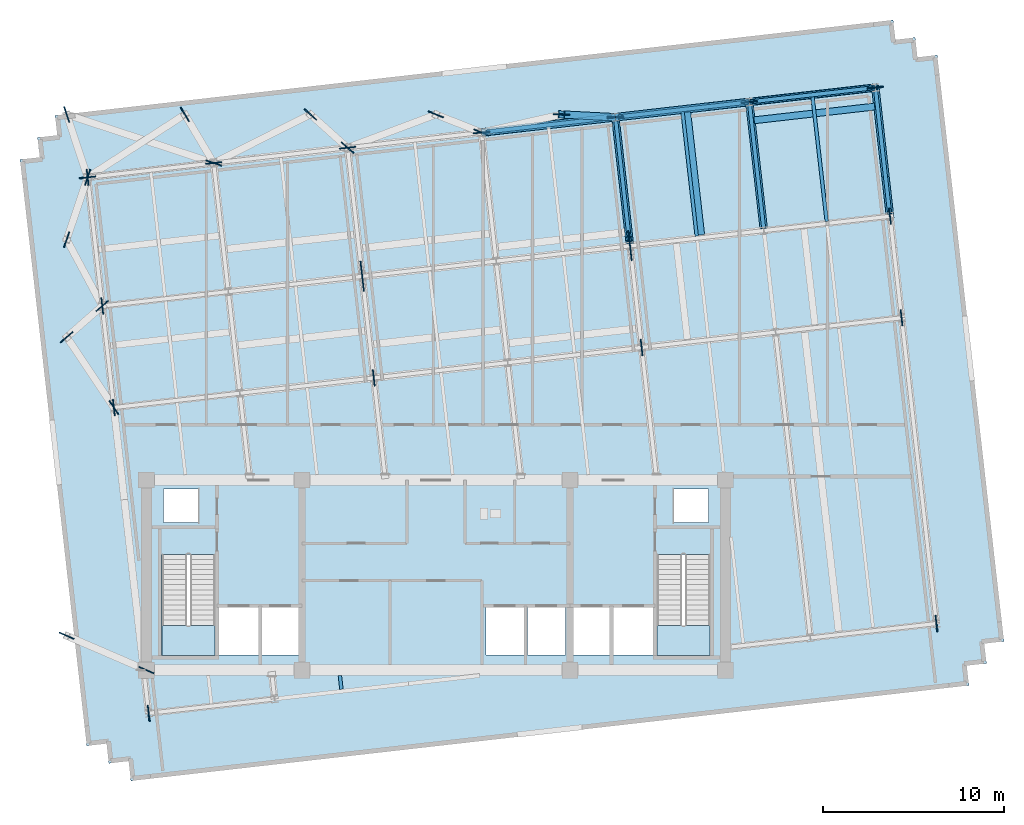
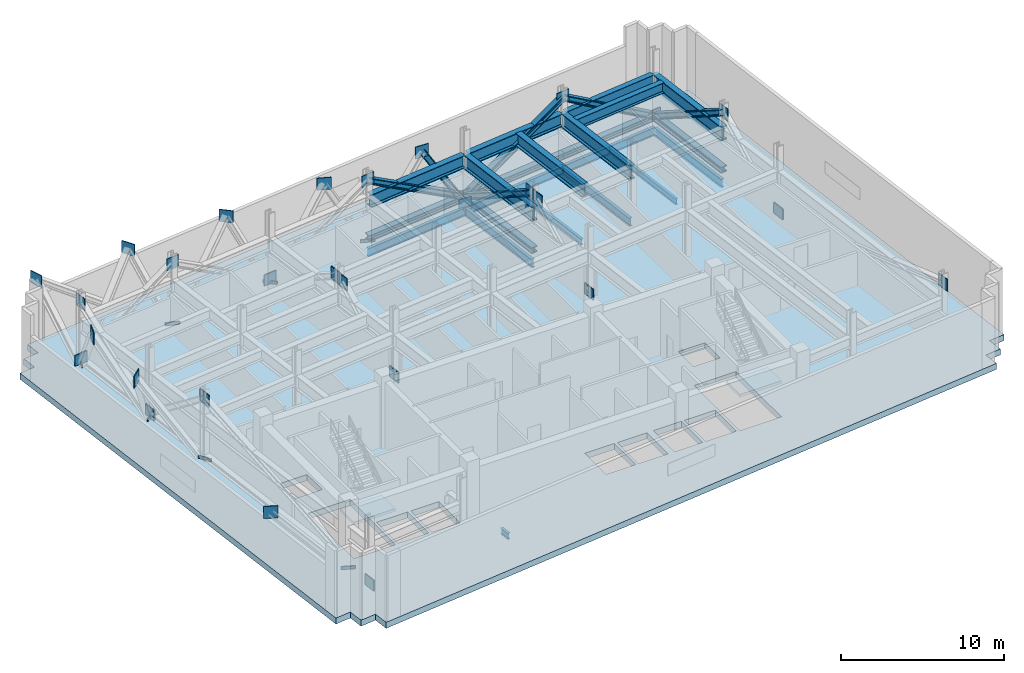
# One storey, part 4 of 10: 36 plates, 17 beams, 11 members, 3 slabs, 2 elements without a shape of their own.
"""IFC4 building model written with IfcOpenShell, lengths in metres."""

from ifc_helpers import new_model, si_unit, direction, frame, origin, origin_2d, place, context, subcontext, project, spatial, polyline, rectangle, i_section, outline, extrude, material, layer, layer_set, material_profile, profile_set, type_object, element, aggregate, save


model = new_model("IFC4")

# Units and contexts
model_context = context("Model", 3, precision=1e-05, world=origin(), true_north=direction((0.0, 1.0)))
body_context = subcontext(model_context, "Body", "Model", "MODEL_VIEW")
ifc_project = project(units=[si_unit("LENGTHUNIT", "METRE"), si_unit("AREAUNIT", "SQUARE_METRE"), si_unit("VOLUMEUNIT", "CUBIC_METRE"), si_unit("PLANEANGLEUNIT", "RADIAN"), si_unit("MASSUNIT", "GRAM", prefix="KILO")], contexts=[model_context])

# Site, building, storey
site_placement = place(None, origin())
site = spatial("IfcSite", under=ifc_project, at=site_placement, CompositionType="ELEMENT")
building_placement = place(site_placement, origin())
building = spatial("IfcBuilding", under=site, at=building_placement, Name="Solmavex Isthmus Hotel", CompositionType="ELEMENT")
storey_placement = place(building_placement, frame((0.0, 0.0, 240.0)))
storey = spatial("IfcBuildingStorey", under=building, at=storey_placement, Name="L65", CompositionType="ELEMENT", Elevation=240.0)

# Beams
ifc_material_1 = material(Name="Steel ASTM A992 Grade 50", Category="steel")
ifc_material_profile_1 = material_profile(ifc_material_1, i_section(OverallWidth=0.380615234375, OverallDepth=0.773193359375, WebThickness=0.0166015625, FlangeThickness=0.027099609375, FilletRadius=0.01904296875, at=origin_2d()), Name="W30X173")
ifc_profile_set_1 = profile_set([ifc_material_profile_1], Name="Steel ASTM A992 Grade 50")
beam_type_1 = type_object("IfcBeamType", Name="BM-BG-W30X173", PredefinedType="BEAM", material=ifc_profile_set_1)
for number, where, z_axis, x_axis, name in (
    (1, (17.463623046875, 18.407470703125, 3.183349609375), (0.993570448594, 0.113215562893, 0.0), (-0.113215562893, 0.993570448594, 0.0), "Floor Framing Cross Girder L65-XLC42"),
    (2, (17.580810546875, 17.37890625, 3.183349609375), (0.993574548201, 0.113179579285, 0.0), (-0.113179579285, 0.993574548201, 0.0), "Floor Framing Cross Girder L65-XLC55"),
):
    element("IfcBeam", number, at=place(storey_placement, frame(where, z_axis=z_axis, x_axis=x_axis)), inside=storey, type_object=beam_type_1, Name=name, PredefinedType="BEAM", context=body_context, shape_type="SweptSolid", body=[
        extrude(i_section(OverallWidth=0.380615234375, OverallDepth=0.773193359375, WebThickness=0.0166015625, FlangeThickness=0.027099609375, FilletRadius=0.01904296875, at=origin_2d()), origin(), (0.0, 0.0, 1.0), 6.69775390625),
    ])
ifc_material_profile_2 = material_profile(ifc_material_1, i_section(OverallWidth=0.1904296875, OverallDepth=0.456787109375, WebThickness=0.009033203125, FlangeThickness=0.014404296875, FilletRadius=0.0126953125, at=origin_2d()), Name="W18X50")
ifc_profile_set_2 = profile_set([ifc_material_profile_2], Name="Steel ASTM A992 Grade 50")
beam_type_2 = type_object("IfcBeamType", Name="BM-BJ-W18X50", PredefinedType="JOIST", material=ifc_profile_set_2)
beam_1_placement = place(storey_placement, frame((-5.2236328125, -14.05419921875, -0.678466796875), z_axis=(-0.112902470797, 0.993606074905, 0.0), x_axis=(-0.993606074905, -0.112902470797, 0.0)))
element("IfcBeam", 3, at=beam_1_placement, inside=storey, type_object=beam_type_2, Name="Secondary Floor Joist L65-J05", PredefinedType="JOIST", context=body_context, shape_type="SweptSolid", body=[
    extrude(i_section(OverallWidth=0.1904296875, OverallDepth=0.456787109375, WebThickness=0.009033203125, FlangeThickness=0.014404296875, FilletRadius=0.0126953125, at=origin_2d()), origin(), (0.0, 0.0, 1.0), 0.759033203125),
])
for number, where, z_axis, x_axis, name in (
    (4, (14.4072265625, 10.975830078125, -0.678466796875), (-0.113202453846, 0.993571942258, 0.0), (-0.993571942258, -0.113202453846, 0.0), "Secondary Floor Joist L65-J18"),
    (5, (21.587646484375, 11.7939453125, -0.678466796875), (-0.113202453846, 0.993571942258, 0.0), (-0.993571942258, -0.113202453846, 0.0), "Secondary Floor Joist L65-J21"),
):
    element("IfcBeam", number, at=place(storey_placement, frame(where, z_axis=z_axis, x_axis=x_axis)), inside=storey, type_object=beam_type_2, Name=name, PredefinedType="JOIST", context=body_context, shape_type="SweptSolid", body=[
        extrude(i_section(OverallWidth=0.1904296875, OverallDepth=0.456787109375, WebThickness=0.009033203125, FlangeThickness=0.014404296875, FilletRadius=0.0126953125, at=origin_2d()), origin(), (0.0, 0.0, 1.0), 6.9228515625),
    ])
ifc_material_profile_3 = material_profile(ifc_material_1, i_section(OverallWidth=0.227783203125, OverallDepth=0.602783203125, WebThickness=0.010498046875, FlangeThickness=0.014892578125, FilletRadius=0.01513671875, at=origin_2d()), Name="W24X68")
ifc_profile_set_3 = profile_set([ifc_material_profile_3], Name="Steel ASTM A992 Grade 50")
beam_type_3 = type_object("IfcBeamType", Name="BM-BM-W24X68", PredefinedType="BEAM", material=ifc_profile_set_3)
for number, where, z_axis, x_axis, name in (
    (6, (10.708251953125, 10.55419921875, -0.75146484375), (-0.113202453846, 0.993571942258, 0.0), (-0.993571942258, -0.113202453846, 0.0), "Floor Beam L65-VG39"),
    (7, (18.106201171875, 11.397216796875, -0.75146484375), (-0.113202453846, 0.993571942258, 0.0), (-0.993571942258, -0.113202453846, 0.0), "Floor Beam L65-VG42"),
):
    element("IfcBeam", number, at=place(storey_placement, frame(where, z_axis=z_axis, x_axis=x_axis)), inside=storey, type_object=beam_type_3, Name=name, PredefinedType="BEAM", context=body_context, shape_type="SweptSolid", body=[
        extrude(i_section(OverallWidth=0.227783203125, OverallDepth=0.602783203125, WebThickness=0.010498046875, FlangeThickness=0.014892578125, FilletRadius=0.01513671875, at=origin_2d()), origin(), (0.0, 0.0, 1.0), 6.9228515625),
    ])
ifc_material_profile_4 = material_profile(ifc_material_1, i_section(OverallWidth=0.230224609375, OverallDepth=0.617431640625, WebThickness=0.01318359375, FlangeThickness=0.022216796875, FilletRadius=0.01513671875, at=origin_2d()), Name="W24X94")
ifc_profile_set_4 = profile_set([ifc_material_profile_4], Name="Steel ASTM A992 Grade 50")
beam_type_4 = type_object("IfcBeamType", Name="BM-SP-W24X94", PredefinedType="SPANDREL", material=ifc_profile_set_4)
for number, where, z_axis, x_axis, name in (
    (8, (2.51318359375, 16.7041015625, -0.7587890625), (0.9935703463, 0.113216460607, 0.0), (-0.113216460607, 0.9935703463, 0.0), "Floor Girder L65-UG21"),
    (9, (9.911376953125, 17.547119140625, -0.7587890625), (0.9935703463, 0.113216460607, 0.0), (-0.113216460607, 0.9935703463, 0.0), "Floor Girder L65-UG22"),
):
    element("IfcBeam", number, at=place(storey_placement, frame(where, z_axis=z_axis, x_axis=x_axis)), inside=storey, type_object=beam_type_4, Name=name, PredefinedType="SPANDREL", context=body_context, shape_type="SweptSolid", body=[
        extrude(i_section(OverallWidth=0.230224609375, OverallDepth=0.617431640625, WebThickness=0.01318359375, FlangeThickness=0.022216796875, FilletRadius=0.01513671875, at=origin_2d()), origin(), (0.0, 0.0, 1.0), 7.446044921875),
    ])
beam_2_placement = place(storey_placement, frame((17.3095703125, 18.39013671875, -0.7587890625), z_axis=(0.99357359356, 0.113187959519, 0.0), x_axis=(-0.113187959519, 0.99357359356, 0.0)))
element("IfcBeam", 10, at=beam_2_placement, inside=storey, type_object=beam_type_4, Name="Floor Girder L65-UG23", PredefinedType="SPANDREL", context=body_context, shape_type="SweptSolid", body=[
    extrude(i_section(OverallWidth=0.230224609375, OverallDepth=0.617431640625, WebThickness=0.01318359375, FlangeThickness=0.022216796875, FilletRadius=0.01513671875, at=origin_2d()), origin(), (0.0, 0.0, 1.0), 7.0078125),
])
beam_3_placement = place(storey_placement, frame((25.0693359375, 12.1904296875, -0.7587890625), z_axis=(-0.113202453846, 0.993571942258, 0.0), x_axis=(-0.993571942258, -0.113202453846, 0.0)))
element("IfcBeam", 11, at=beam_3_placement, inside=storey, type_object=beam_type_4, Name="Floor Beam L65-VG45", PredefinedType="SPANDREL", context=body_context, shape_type="SweptSolid", body=[
    extrude(i_section(OverallWidth=0.230224609375, OverallDepth=0.617431640625, WebThickness=0.01318359375, FlangeThickness=0.022216796875, FilletRadius=0.01513671875, at=origin_2d()), origin(), (0.0, 0.0, 1.0), 6.9228515625),
])
ifc_material_2 = material(Name="Steel ASTM A913 Grade 65", Category="steel")
ifc_material_profile_5 = material_profile(ifc_material_2, i_section(OverallWidth=0.423095703125, OverallDepth=0.93896484375, WebThickness=0.02392578125, FlangeThickness=0.042724609375, FilletRadius=0.024169921875, at=origin_2d()), Name="W36X302")
ifc_profile_set_5 = profile_set([ifc_material_profile_5], Name="Steel ASTM A913 Grade 65")
beam_type_5 = type_object("IfcBeamType", Name="BM-TB-W36X302", PredefinedType="BEAM", material=ifc_profile_set_5)
for number, where, z_axis, x_axis, name in (
    (12, (2.667236328125, 16.7216796875, 3.1005859375), (0.993571101431, 0.113209833499, 0.0), (-0.113209833499, 0.993571101431, 0.0), "Horizontal Outrigger Collector Girder L65-XLC40"),
    (13, (10.0654296875, 17.564697265625, 3.1005859375), (0.993571101431, 0.113209833499, 0.0), (-0.113209833499, 0.993571101431, 0.0), "Horizontal Outrigger Collector Girder L65-XLC41"),
):
    element("IfcBeam", number, at=place(storey_placement, frame(where, z_axis=z_axis, x_axis=x_axis)), inside=storey, type_object=beam_type_5, Name=name, PredefinedType="BEAM", context=body_context, shape_type="SweptSolid", body=[
        extrude(i_section(OverallWidth=0.423095703125, OverallDepth=0.93896484375, WebThickness=0.02392578125, FlangeThickness=0.042724609375, FilletRadius=0.024169921875, at=origin_2d()), origin(), (0.0, 0.0, 1.0), 7.135986328125),
    ])
beam_4_placement = place(storey_placement, frame((14.630615234375, 11.04248046875, 3.1005859375), z_axis=(-0.113219522419, 0.993569997405, 0.0), x_axis=(-0.993569997405, -0.113219522419, 0.0)))
element("IfcBeam", 14, at=beam_4_placement, inside=storey, type_object=beam_type_5, Name="Horizontal Outrigger Collector Girder L65-XLC52", PredefinedType="BEAM", context=body_context, shape_type="SweptSolid", body=[
    extrude(i_section(OverallWidth=0.423095703125, OverallDepth=0.93896484375, WebThickness=0.02392578125, FlangeThickness=0.042724609375, FilletRadius=0.024169921875, at=origin_2d()), origin(), (0.0, 0.0, 1.0), 6.842041015625),
])
ifc_material_profile_6 = material_profile(ifc_material_2, i_section(OverallWidth=0.409423828125, OverallDepth=1.036376953125, WebThickness=0.031005859375, FlangeThickness=0.055908203125, FilletRadius=0.030517578125, at=origin_2d()), Name="W40X397")
ifc_profile_set_6 = profile_set([ifc_material_profile_6], Name="Steel ASTM A913 Grade 65")
beam_type_6 = type_object("IfcBeamType", Name="BM-TB-W40X397B", PredefinedType="BEAM", material=ifc_profile_set_6)
beam_5_placement = place(storey_placement, frame((10.720947265625, 10.441162109375, 3.0517578125), z_axis=(-0.113196143224, 0.993572661238, 0.0), x_axis=(-0.993572661238, -0.113196143224, 0.0)))
element("IfcBeam", 15, at=beam_5_placement, inside=storey, type_object=beam_type_6, Name="Horizontal Transfer Carrier Girder L65-XLC16", PredefinedType="BEAM", context=body_context, shape_type="SweptSolid", body=[
    extrude(i_section(OverallWidth=0.409423828125, OverallDepth=1.036376953125, WebThickness=0.031005859375, FlangeThickness=0.055908203125, FilletRadius=0.030517578125, at=origin_2d()), origin(), (0.0, 0.0, 1.0), 7.15185546875),
])
beam_6_placement = place(storey_placement, frame((18.119140625, 11.283935546875, 3.0517578125), z_axis=(-0.113192304085, 0.993573098617, 0.0), x_axis=(-0.993573098617, -0.113192304085, 0.0)))
element("IfcBeam", 16, at=beam_6_placement, inside=storey, type_object=beam_type_6, Name="Horizontal Transfer Carrier Girder L65-XLC18", PredefinedType="BEAM", context=body_context, shape_type="SweptSolid", body=[
    extrude(i_section(OverallWidth=0.409423828125, OverallDepth=1.036376953125, WebThickness=0.031005859375, FlangeThickness=0.055908203125, FilletRadius=0.030517578125, at=origin_2d()), origin(), (0.0, 0.0, 1.0), 7.152099609375),
])
beam_7_placement = place(storey_placement, frame((25.08203125, 12.077392578125, 3.0517578125), z_axis=(-0.113196143224, 0.993572661238, 0.0), x_axis=(-0.993572661238, -0.113196143224, 0.0)))
element("IfcBeam", 17, at=beam_7_placement, inside=storey, type_object=beam_type_6, Name="Horizontal Transfer Carrier Girder L65-XLC21", PredefinedType="BEAM", context=body_context, shape_type="SweptSolid", body=[
    extrude(i_section(OverallWidth=0.409423828125, OverallDepth=1.036376953125, WebThickness=0.031005859375, FlangeThickness=0.055908203125, FilletRadius=0.030517578125, at=origin_2d()), origin(), (0.0, 0.0, 1.0), 7.15185546875),
])

# Members
ifc_material_profile_7 = material_profile(ifc_material_2, i_section(OverallWidth=0.412109375, OverallDepth=0.434814453125, WebThickness=0.035888671875, FlangeThickness=0.057373046875, FilletRadius=0.030517578125, at=origin_2d()), Name="W14X311")
ifc_profile_set_7 = profile_set([ifc_material_profile_7], Name="Steel ASTM A913 Grade 65")
member_type_1 = type_object("IfcMemberType", Name="MEM-TC-W14X311", PredefinedType="CHORD", material=ifc_profile_set_7)
for number, where, z_axis, x_axis, name in (
    (18, (2.51318359375, 16.7041015625, 0.35009765625), (0.9935703463, 0.113216460607, 0.0), (-0.113216460607, 0.9935703463, 0.0), "Outrigger and Belt Transfer Truss Bottom Chord BT-L65-N-04"),
    (19, (9.911376953125, 17.547119140625, 0.35009765625), (0.9935703463, 0.113216460607, 0.0), (-0.113216460607, 0.9935703463, 0.0), "Outrigger and Belt Transfer Truss Bottom Chord BT-L65-N-05"),
):
    element("IfcMember", number, at=place(storey_placement, frame(where, z_axis=z_axis, x_axis=x_axis)), inside=storey, type_object=member_type_1, Name=name, PredefinedType="CHORD", context=body_context, shape_type="SweptSolid", body=[
        extrude(i_section(OverallWidth=0.412109375, OverallDepth=0.434814453125, WebThickness=0.035888671875, FlangeThickness=0.057373046875, FilletRadius=0.030517578125, at=origin_2d()), origin(), (0.0, 0.0, 1.0), 7.446044921875),
    ])
member_1_placement = place(storey_placement, frame((17.3095703125, 18.39013671875, 0.35009765625), z_axis=(0.99357359356, 0.113187959519, 0.0), x_axis=(-0.113187959519, 0.99357359356, 0.0)))
element("IfcMember", 20, at=member_1_placement, inside=storey, type_object=member_type_1, Name="Outrigger and Belt Transfer Truss Bottom Chord BT-L65-N-06", PredefinedType="CHORD", context=body_context, shape_type="SweptSolid", body=[
    extrude(i_section(OverallWidth=0.412109375, OverallDepth=0.434814453125, WebThickness=0.035888671875, FlangeThickness=0.057373046875, FilletRadius=0.030517578125, at=origin_2d()), origin(), (0.0, 0.0, 1.0), 7.0078125),
])
for number, where, z_axis, x_axis, name in (
    (21, (25.08203125, 12.077392578125, 0.35009765625), (-0.113196143224, 0.993572661238, 0.0), (-0.993572661238, -0.113196143224, 0.0), "Outrigger and Belt Transfer Truss Bottom Chord BT-L65-E-12"),
    (22, (10.720947265625, 10.441162109375, 0.35009765625), (-0.113196143224, 0.993572661238, 0.0), (-0.993572661238, -0.113196143224, 0.0), "Outrigger and Belt Transfer Truss Bottom Chord OT-L65-E-16"),
):
    element("IfcMember", number, at=place(storey_placement, frame(where, z_axis=z_axis, x_axis=x_axis)), inside=storey, type_object=member_type_1, Name=name, PredefinedType="CHORD", context=body_context, shape_type="SweptSolid", body=[
        extrude(i_section(OverallWidth=0.412109375, OverallDepth=0.434814453125, WebThickness=0.035888671875, FlangeThickness=0.057373046875, FilletRadius=0.030517578125, at=origin_2d()), origin(), (0.0, 0.0, 1.0), 7.15185546875),
    ])
ifc_material_profile_8 = material_profile(ifc_material_2, i_section(OverallWidth=0.40625, OverallDepth=0.416015625, WebThickness=0.02978515625, FlangeThickness=0.048095703125, FilletRadius=0.030517578125, at=origin_2d()), Name="W14X257")
ifc_profile_set_8 = profile_set([ifc_material_profile_8], Name="Steel ASTM A913 Grade 65")
member_type_2 = type_object("IfcMemberType", Name="MEM-TM-W14X257", PredefinedType="BRACE", material=ifc_profile_set_8)
member_2_placement = place(storey_placement, frame((9.911376953125, 17.547119140625, -0.25), z_axis=(-0.518844894678, 0.026651095763, 0.854452862574), x_axis=(-0.051298579147, -0.99868336112, 0.0)))
element("IfcMember", 23, at=member_2_placement, inside=storey, type_object=member_type_2, Name="Perimeter Facade Transfer Bracket L65-FBR14", PredefinedType="BRACE", context=body_context, shape_type="SweptSolid", body=[
    extrude(i_section(OverallWidth=0.40625, OverallDepth=0.416015625, WebThickness=0.02978515625, FlangeThickness=0.048095703125, FilletRadius=0.030517578125, at=origin_2d()), origin(), (0.0, 0.0, 1.0), 5.734619140625),
])
for number, where, z_axis, x_axis, name in (
    (24, (2.51318359375, 16.7041015625, 4.64990234375), (0.860416390979, 0.098043685379, -0.500071064842), (-0.113216460607, 0.9935703463, 0.0), "Outrigger and Belt Transfer Truss Diagonal Brace BT-L65-N-04"),
    (25, (9.911376953125, 17.547119140625, 0.35009765625), (0.860416390979, 0.098043685379, 0.500071064842), (-0.113216460607, 0.9935703463, 0.0), "Outrigger and Belt Transfer Truss Diagonal Brace BT-L65-N-05"),
):
    element("IfcMember", number, at=place(storey_placement, frame(where, z_axis=z_axis, x_axis=x_axis)), inside=storey, type_object=member_type_2, Name=name, PredefinedType="BRACE", context=body_context, shape_type="SweptSolid", body=[
        extrude(i_section(OverallWidth=0.40625, OverallDepth=0.416015625, WebThickness=0.02978515625, FlangeThickness=0.048095703125, FilletRadius=0.030517578125, at=origin_2d()), origin(), (0.0, 0.0, 1.0), 8.598388671875),
    ])
member_3_placement = place(storey_placement, frame((17.3095703125, 18.39013671875, 4.64990234375), z_axis=(0.846873033128, 0.096475823444, -0.522970822562), x_axis=(-0.113187959519, 0.99357359356, 0.0)))
element("IfcMember", 26, at=member_3_placement, inside=storey, type_object=member_type_2, Name="Outrigger and Belt Transfer Truss Diagonal Brace BT-L65-N-06", PredefinedType="BRACE", context=body_context, shape_type="SweptSolid", body=[
    extrude(i_section(OverallWidth=0.40625, OverallDepth=0.416015625, WebThickness=0.02978515625, FlangeThickness=0.048095703125, FilletRadius=0.030517578125, at=origin_2d()), origin(), (0.0, 0.0, 1.0), 8.221923828125),
])
member_4_placement = place(storey_placement, frame((25.08203125, 12.077392578125, 4.64990234375), z_axis=(-0.097013090159, 0.851526840217, -0.51525770322), x_axis=(-0.993572661238, -0.113196143224, 0.0)))
element("IfcMember", 27, at=member_4_placement, inside=storey, type_object=member_type_2, Name="Outrigger and Belt Transfer Truss Diagonal Brace BT-L65-E-12", PredefinedType="BRACE", context=body_context, shape_type="SweptSolid", body=[
    extrude(i_section(OverallWidth=0.40625, OverallDepth=0.416015625, WebThickness=0.02978515625, FlangeThickness=0.048095703125, FilletRadius=0.030517578125, at=origin_2d()), origin(), (0.0, 0.0, 1.0), 8.344970703125),
])
member_5_placement = place(storey_placement, frame((10.676513671875, 10.832763671875, 4.4130859375), z_axis=(-0.09703492692, 0.851517090031, -0.515269704469), x_axis=(-0.993569649453, -0.113222575863, 0.0)))
element("IfcMember", 28, at=member_5_placement, inside=storey, type_object=member_type_2, Name="Outrigger and Belt Transfer Truss Diagonal Brace OT-L65-E-16", PredefinedType="BRACE", context=body_context, shape_type="SweptSolid", body=[
    extrude(i_section(OverallWidth=0.40625, OverallDepth=0.416015625, WebThickness=0.02978515625, FlangeThickness=0.048095703125, FilletRadius=0.030517578125, at=origin_2d()), origin(), (0.0, 0.0, 1.0), 7.88525390625),
])

# Plates
ifc_material_3 = material(Name="Steel ASTM A572 Grade 50", Category="steel")
ifc_layer_1 = layer(ifc_material_3, 0.06005859375)
ifc_layer_set_1 = layer_set([ifc_layer_1], Name="Steel ASTM A572 Grade 50")
plate_type = type_object("IfcPlateType", Name="PLT-GUSSET-60", PredefinedType="USERDEFINED", material=ifc_layer_set_1)
for number, where, z_axis, x_axis, name in (
    (29, (-16.0, -13.0, -0.699951171875), (0.0, 0.0, 1.0), (-0.918059342722, 0.39644298864, 0.0), "Perimeter Bracket Gusset Plate L65 001"),
    (30, (-20.39990234375, -11.10009765625, 4.199951171875), (0.0, 0.0, 1.0), (-0.918059342722, 0.39644298864, 0.0), "Perimeter Bracket Gusset Plate L65 002"),
    (31, (-18.436279296875, 7.119140625, -0.699951171875), (0.0, 0.0, 1.0), (-0.752414908896, -0.658689460119, 0.0), "Perimeter Bracket Gusset Plate L65 003"),
    (32, (-20.39990234375, 5.39990234375, 4.199951171875), (0.0, 0.0, 1.0), (-0.752414908896, -0.658689460119, 0.0), "Perimeter Bracket Gusset Plate L65 004"),
    (33, (-17.796875, 1.50732421875, -0.699951171875), (0.0, 0.0, 1.0), (-0.555874945226, 0.831265929333, 0.0), "Perimeter Bracket Gusset Plate L65 005"),
    (34, (-19.245849609375, 14.22509765625, -0.699951171875), (0.0, 0.0, 1.0), (-0.318297564451, -0.947990854631, 0.0), "Perimeter Bracket Gusset Plate L65 006"),
    (35, (-20.39990234375, 10.7880859375, 4.199951171875), (0.0, 0.0, 1.0), (-0.318297564451, -0.947990854631, 0.0), "Perimeter Bracket Gusset Plate L65 007"),
    (36, (-20.39990234375, 17.699951171875, 4.199951171875), (0.0, 0.0, 1.0), (-0.315185290977, 0.949030153552, 0.0), "Perimeter Bracket Gusset Plate L65 008"),
    (37, (-12.282958984375, 15.018310546875, -0.699951171875), (0.0, 0.0, 1.0), (-0.949524074427, 0.313694169667, 0.0), "Perimeter Bracket Gusset Plate L65 009"),
    (38, (-13.8720703125, 17.699951171875, 4.199951171875), (0.0, 0.0, 1.0), (-0.509777345844, 0.860306374302, 0.0), "Perimeter Bracket Gusset Plate L65 010"),
    (39, (-4.884765625, 15.861328125, -0.699951171875), (0.0, 0.0, 1.0), (-0.744614522386, 0.667494728856, 0.0), "Perimeter Bracket Gusset Plate L65 011"),
    (40, (-6.93603515625, 17.699951171875, 4.199951171875), (0.0, 0.0, 1.0), (-0.744614522386, 0.667494728856, 0.0), "Perimeter Bracket Gusset Plate L65 012"),
    (41, (2.51318359375, 16.7041015625, -0.699951171875), (0.0, 0.0, 1.0), (-0.929686508336, 0.368351728947, 0.0), "Perimeter Bracket Gusset Plate L65 013"),
    (42, (0.0, 17.699951171875, 4.199951171875), (0.0, 0.0, 1.0), (-0.929686508336, 0.368351728947, 0.0), "Perimeter Bracket Gusset Plate L65 014"),
    (43, (9.911376953125, 17.547119140625, -0.699951171875), (0.0, 0.0, 1.0), (-0.998682897936, 0.051307595647, 0.0), "Perimeter Bracket Gusset Plate L65 015"),
    (44, (6.93603515625, 17.699951171875, 4.199951171875), (0.0, 0.0, 1.0), (-0.998682897936, 0.051307595647, 0.0), "Perimeter Bracket Gusset Plate L65 016"),
    (45, (-19.245849609375, 14.22509765625, -0.099853515625), (0.0, 0.0, 1.0), (0.993571855677, 0.113203213768, 0.0), "Outrigger and Belt Transfer Truss Node Gusset Plate L65 001"),
    (46, (-12.282958984375, 15.018310546875, 4.199951171875), (0.0, 0.0, 1.0), (0.993571855677, 0.113203213768, 0.0), "Outrigger and Belt Transfer Truss Node Gusset Plate L65 002"),
    (47, (-4.884765625, 15.861328125, -0.099853515625), (0.0, 0.0, 1.0), (0.993571855677, 0.113203213768, 0.0), "Outrigger and Belt Transfer Truss Node Gusset Plate L65 003"),
    (48, (2.51318359375, 16.7041015625, 4.199951171875), (0.0, 0.0, 1.0), (0.993571855677, 0.113203213768, 0.0), "Outrigger and Belt Transfer Truss Node Gusset Plate L65 004"),
    (49, (9.911376953125, 17.547119140625, -0.099853515625), (0.0, 0.0, 1.0), (0.993571855677, 0.113203213768, 0.0), "Outrigger and Belt Transfer Truss Node Gusset Plate L65 005"),
    (50, (17.3095703125, 18.39013671875, 4.199951171875), (0.0, 0.0, 1.0), (0.993571855677, 0.113203213768, 0.0), "Outrigger and Belt Transfer Truss Node Gusset Plate L65 006"),
    (51, (24.2724609375, 19.183349609375, -0.099853515625), (0.0, 0.0, 1.0), (0.993571855677, 0.113203213768, 0.0), "Outrigger and Belt Transfer Truss Node Gusset Plate L65 007"),
    (52, (-15.87255859375, -15.38330078125, -0.099853515625), (0.0, 0.0, 1.0), (-0.113203213768, 0.993571855677, 0.0), "Outrigger and Belt Transfer Truss Node Gusset Plate L65 008"),
    (53, (-17.796875, 1.50732421875, 4.199951171875), (0.0, 0.0, 1.0), (-0.113203213768, 0.993571855677, 0.0), "Outrigger and Belt Transfer Truss Node Gusset Plate L65 009"),
    (54, (-18.436279296875, 7.119140625, -0.099853515625), (0.0, 0.0, 1.0), (-0.113203213768, 0.993571855677, 0.0), "Outrigger and Belt Transfer Truss Node Gusset Plate L65 010"),
    (55, (-19.245849609375, 14.22509765625, 4.199951171875), (0.0, 0.0, 1.0), (-0.113203213768, 0.993571855677, 0.0), "Outrigger and Belt Transfer Truss Node Gusset Plate L65 011"),
    (56, (27.64599609375, -10.425048828125, 4.199951171875), (0.0, 0.0, 1.0), (-0.113203213768, 0.993571855677, 0.0), "Outrigger and Belt Transfer Truss Node Gusset Plate L65 012"),
    (57, (25.721435546875, 6.465576171875, -0.099853515625), (0.0, 0.0, 1.0), (-0.113203213768, 0.993571855677, 0.0), "Outrigger and Belt Transfer Truss Node Gusset Plate L65 013"),
    (58, (25.08203125, 12.077392578125, 4.199951171875), (0.0, 0.0, 1.0), (-0.113203213768, 0.993571855677, 0.0), "Outrigger and Belt Transfer Truss Node Gusset Plate L65 014"),
    (59, (-3.435791015625, 3.1435546875, -0.099853515625), (0.0, 0.0, 1.0), (-0.113203213768, 0.993571855677, 0.0), "Outrigger and Belt Transfer Truss Node Gusset Plate L65 015"),
    (60, (-4.03369140625, 8.3916015625, 3.92138671875), (0.0, 0.0, 1.0), (-0.113203213768, 0.993571855677, 0.0), "Outrigger and Belt Transfer Truss Node Gusset Plate L65 016"),
    (61, (-4.119873046875, 9.14697265625, 3.963134765625), (0.0, 0.0, 1.0), (-0.113203213768, 0.993571855677, 0.0), "Outrigger and Belt Transfer Truss Node Gusset Plate L65 017"),
    (62, (11.3603515625, 4.829345703125, -0.099853515625), (0.0, 0.0, 1.0), (-0.113203213768, 0.993571855677, 0.0), "Outrigger and Belt Transfer Truss Node Gusset Plate L65 018"),
    (63, (10.762451171875, 10.077392578125, 3.92138671875), (0.0, 0.0, 1.0), (-0.113203213768, 0.993571855677, 0.0), "Outrigger and Belt Transfer Truss Node Gusset Plate L65 019"),
    (64, (10.676513671875, 10.832763671875, 3.963134765625), (0.0, 0.0, 1.0), (-0.113203213768, 0.993571855677, 0.0), "Outrigger and Belt Transfer Truss Node Gusset Plate L65 020"),
):
    element("IfcPlate", number, at=place(storey_placement, frame(where, z_axis=z_axis, x_axis=x_axis)), inside=storey, type_object=plate_type, Name=name, ObjectType="GUSSET_PLATE", PredefinedType="USERDEFINED", context=body_context, shape_type="SweptSolid", body=[
        extrude(rectangle(XDim=0.89990234375, YDim=0.06005859375, at=origin_2d()), origin(), (0.0, 0.0, 1.0), 0.89990234375),
    ])

# Slab
ifc_material_4 = material(Name="Concrete C50/60", Category="concrete")
ifc_layer_2 = layer(ifc_material_4, 0.449951171875)
ifc_layer_set_2 = layer_set([ifc_layer_2], Name="Concrete C50/60")
slab_type_1 = type_object("IfcSlabType", Name="SLAB-XFER-360", PredefinedType="FLOOR", material=ifc_layer_set_2)
slab_1_placement = place(storey_placement, frame((0.0, 0.0, -0.449951171875)))
element("IfcSlab", 65, at=slab_1_placement, inside=storey, type_object=slab_type_1, Name="Tower Structural Floor Slab L65", PredefinedType="FLOOR", context=body_context, shape_type="SweptSolid", body=[
    extrude(outline(polyline([(-15.762939453125, -18.994140625), (28.3515625, -13.968017578125), (29.444580078125, -13.843505859375), (29.320068359375, -12.75048828125), (30.412841796875, -12.6259765625), (30.288330078125, -11.532958984375), (31.38134765625, -11.408447265625), (31.2568359375, -10.315673828125), (27.8154296875, 19.888916015625), (27.69091796875, 20.98193359375), (26.597900390625, 20.857421875), (26.473388671875, 21.9501953125), (25.38037109375, 21.82568359375), (25.255859375, 22.918701171875), (24.1630859375, 22.794189453125), (-19.95166015625, 17.76806640625), (-21.04443359375, 17.6435546875), (-20.919921875, 16.550537109375), (-22.012939453125, 16.426025390625), (-21.888427734375, 15.3330078125), (-22.981201171875, 15.20849609375), (-22.856689453125, 14.11572265625), (-19.415283203125, -16.0888671875), (-19.290771484375, -17.181884765625), (-18.197998046875, -17.057373046875), (-18.073486328125, -18.150390625), (-16.98046875, -18.02587890625), (-16.85595703125, -19.11865234375), (-15.762939453125, -18.994140625)]), holes=[polyline([(-15.14990234375, -6.617919921875), (-15.14990234375, -12.199951171875), (-12.199951171875, -12.199951171875), (-12.199951171875, -6.617919921875), (-15.14990234375, -6.617919921875)]), polyline([(12.199951171875, -6.617919921875), (12.199951171875, -12.199951171875), (15.14990234375, -12.199951171875), (15.14990234375, -6.617919921875), (12.199951171875, -6.617919921875)]), polyline([(-12.0, -12.14990234375), (-9.800048828125, -12.14990234375), (-9.800048828125, -9.550048828125), (-12.0, -9.550048828125), (-12.0, -12.14990234375)]), polyline([(9.800048828125, -12.14990234375), (12.0, -12.14990234375), (12.0, -9.550048828125), (9.800048828125, -9.550048828125), (9.800048828125, -12.14990234375)]), polyline([(-9.60009765625, -12.14990234375), (-7.60009765625, -12.14990234375), (-7.60009765625, -9.550048828125), (-9.60009765625, -9.550048828125), (-9.60009765625, -12.14990234375)]), polyline([(7.60009765625, -12.14990234375), (9.60009765625, -12.14990234375), (9.60009765625, -9.550048828125), (7.60009765625, -9.550048828125), (7.60009765625, -12.14990234375)]), polyline([(2.75, -12.14990234375), (4.85009765625, -12.14990234375), (4.85009765625, -9.550048828125), (2.75, -9.550048828125), (2.75, -12.14990234375)]), polyline([(5.050048828125, -12.14990234375), (7.14990234375, -12.14990234375), (7.14990234375, -9.550048828125), (5.050048828125, -9.550048828125), (5.050048828125, -12.14990234375)]), polyline([(-15.050048828125, -4.85009765625), (-13.14990234375, -4.85009765625), (-13.14990234375, -3.0), (-15.050048828125, -3.0), (-15.050048828125, -4.85009765625)]), polyline([(13.14990234375, -4.85009765625), (15.050048828125, -4.85009765625), (15.050048828125, -3.0), (13.14990234375, -3.0), (13.14990234375, -4.85009765625)])]), origin(), (0.0, 0.0, 1.0), 0.449951171875),
])

# Stair, slab
ifc_material_5 = material(Name="Concrete C40/50", Category="concrete")
stair_type_1 = type_object("IfcStairType", Name="STR-ST-1", PredefinedType="HALF_TURN_STAIR", material=ifc_material_5)
stair_1_placement = place(storey_placement, origin())
stair_1 = element("IfcStair", 66, at=stair_1_placement, inside=storey, type_object=stair_type_1, Name="L65 Protected Exit Stair ST-1", PredefinedType="HALF_TURN_STAIR")
ifc_layer_3 = layer(ifc_material_5, 0.219970703125)
ifc_layer_set_3 = layer_set([ifc_layer_3], Name="Concrete C40/50")
slab_type_2 = type_object("IfcSlabType", Name="SLD-ST-1", PredefinedType="LANDING", material=ifc_layer_set_3)
slab_2_placement = place(storey_placement, frame((0.0, 0.0, 2.5)))
slab_2 = element("IfcSlab", 67, at=slab_2_placement, type_object=slab_type_2, Name="ST-1 landing 1", PredefinedType="LANDING", context=body_context, shape_type="SweptSolid", body=[
    extrude(outline(polyline([(-15.14990234375, -10.52001953125), (-15.14990234375, -12.199951171875), (-12.199951171875, -12.199951171875), (-12.199951171875, -10.52001953125), (-15.14990234375, -10.52001953125)])), origin(), (0.0, 0.0, 1.0), 0.199951171875),
])
aggregate(stair_1, [slab_2])

stair_type_2 = type_object("IfcStairType", Name="STR-ST-2", PredefinedType="HALF_TURN_STAIR", material=ifc_material_5)
stair_2_placement = place(storey_placement, origin())
stair_2 = element("IfcStair", 68, at=stair_2_placement, inside=storey, type_object=stair_type_2, Name="L65 Protected Exit Stair ST-2", PredefinedType="HALF_TURN_STAIR")
ifc_layer_4 = layer(ifc_material_5, 0.219970703125)
ifc_layer_set_4 = layer_set([ifc_layer_4], Name="Concrete C40/50")
slab_type_3 = type_object("IfcSlabType", Name="SLD-ST-2", PredefinedType="LANDING", material=ifc_layer_set_4)
slab_3_placement = place(storey_placement, frame((0.0, 0.0, 2.5)))
slab_3 = element("IfcSlab", 69, at=slab_3_placement, type_object=slab_type_3, Name="ST-2 landing 1", PredefinedType="LANDING", context=body_context, shape_type="SweptSolid", body=[
    extrude(outline(polyline([(12.199951171875, -10.52001953125), (12.199951171875, -12.199951171875), (15.14990234375, -12.199951171875), (15.14990234375, -10.52001953125), (12.199951171875, -10.52001953125)])), origin(), (0.0, 0.0, 1.0), 0.199951171875),
])
aggregate(stair_2, [slab_3])

save(model, "model.ifc")
